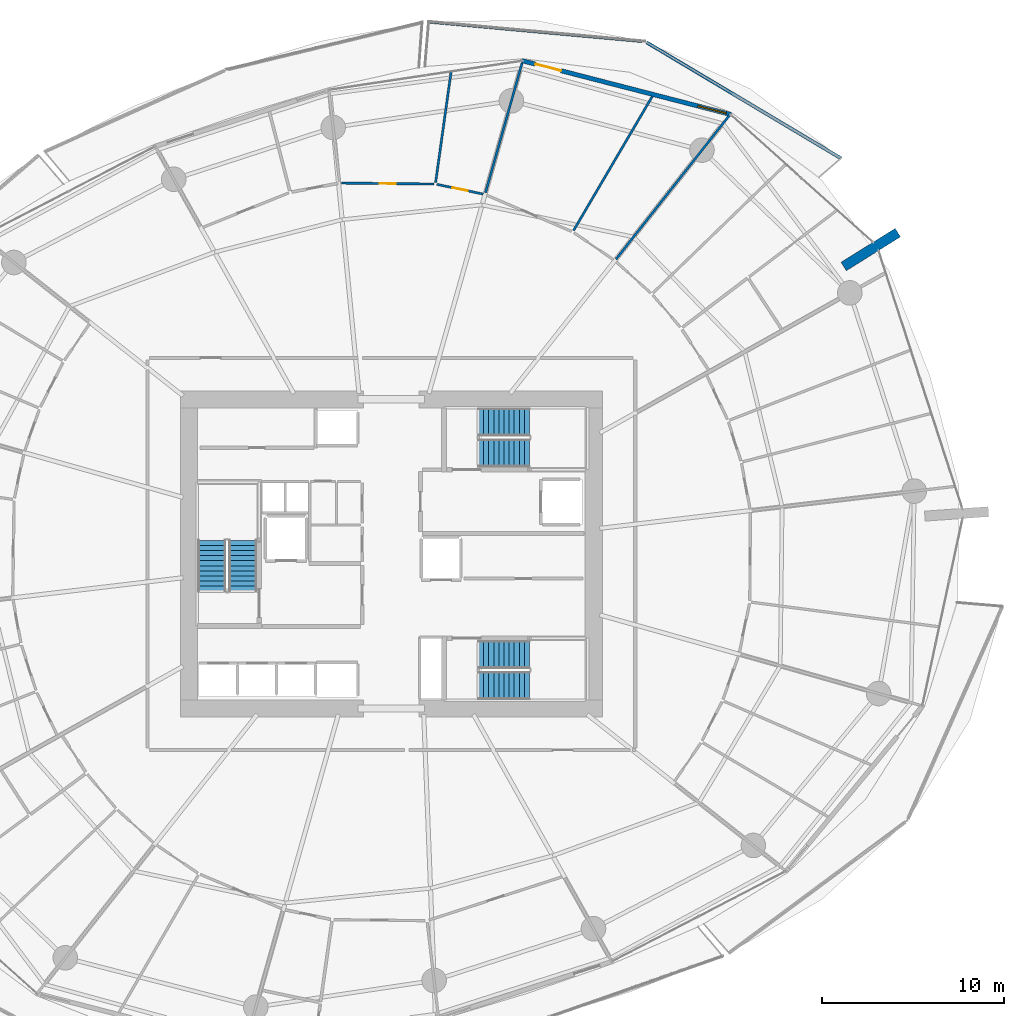
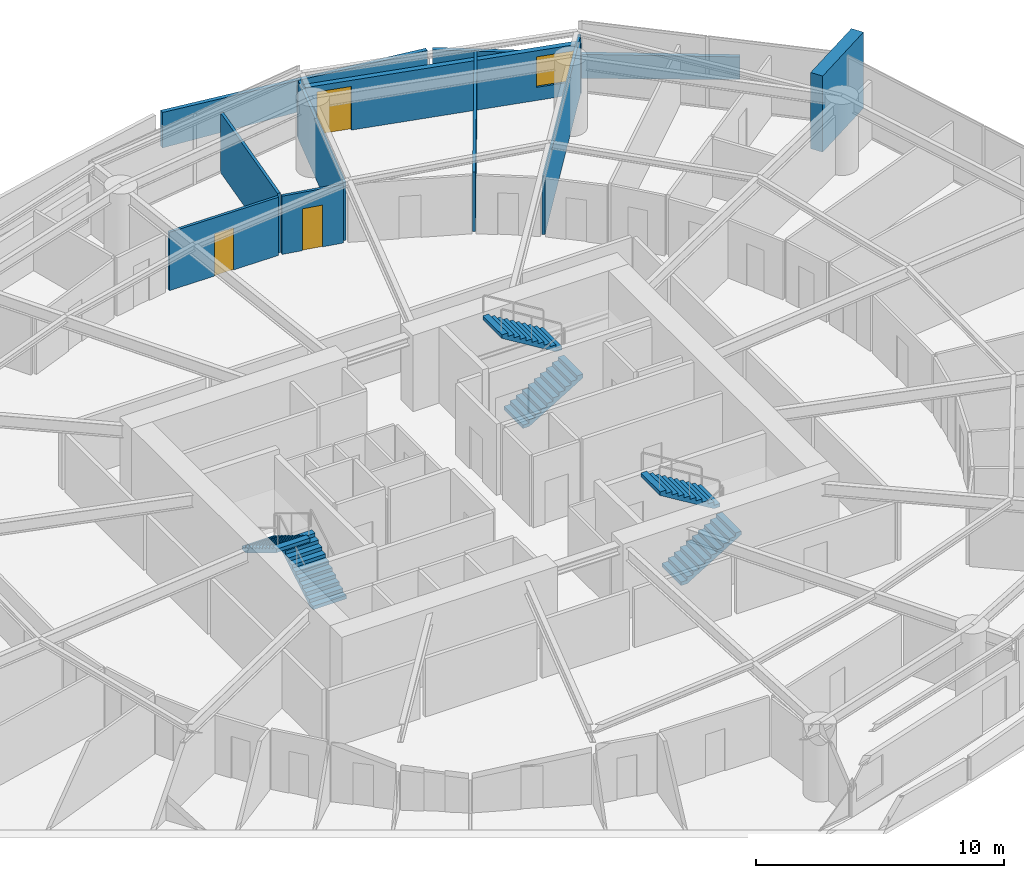
# One storey, part 24 of 31: 10 walls, 6 stair flights, 3 doors, 1 window, 4 openings, 3 elements without a shape of their own.
"""IFC4 building model written with IfcOpenShell, lengths in metres."""

from ifc_helpers import new_model, si_unit, direction, frame, frame_2d, origin, place, context, subcontext, project, spatial, polyline, rectangle, outline, extrude, material, layer, layer_set, type_object, element, fill, aggregate, save


model = new_model("IFC4")

# Units and contexts
model_context = context("Model", 3, precision=1e-05, world=origin(), true_north=direction((0.0, 1.0)))
body_context = subcontext(model_context, "Body", "Model", "MODEL_VIEW")
ifc_project = project(units=[si_unit("LENGTHUNIT", "METRE"), si_unit("AREAUNIT", "SQUARE_METRE"), si_unit("VOLUMEUNIT", "CUBIC_METRE"), si_unit("PLANEANGLEUNIT", "RADIAN"), si_unit("MASSUNIT", "GRAM", prefix="KILO")], contexts=[model_context])

# Site, building, storey
site_placement = place(None, origin())
site = spatial("IfcSite", under=ifc_project, at=site_placement, CompositionType="ELEMENT")
building_placement = place(site_placement, origin())
building = spatial("IfcBuilding", under=site, at=building_placement, Name="Kazma Halo Residences", CompositionType="ELEMENT")
storey_placement = place(building_placement, frame((0.0, 0.0, 30.14990234375)))
storey = spatial("IfcBuildingStorey", under=building, at=storey_placement, Name="L06", CompositionType="ELEMENT", Elevation=30.14990234375)

# Walls
ifc_material_1 = material(Name="White Concrete C50/60 Balustrade", Category="concrete")
ifc_layer_1 = layer(ifc_material_1, 0.179931640625)
ifc_layer_set_1 = layer_set([ifc_layer_1], Name="White Concrete C50/60 Balustrade")
wall_type_1 = type_object("IfcWallType", Name="WL-BAL-WAVE-180", PredefinedType="PARAPET", material=ifc_layer_set_1)
wall_1_placement = place(storey_placement, frame((73.08740234375, 63.693115234375, 0.0), z_axis=(0.0, 0.0, 1.0), x_axis=(-0.858860948387, 0.512208816144, 0.0)))
element("IfcWall", 1, at=wall_1_placement, inside=storey, type_object=wall_type_1, Name="L06 white wave balustrade wall NE.1", PredefinedType="PARAPET", context=body_context, shape_type="SweptSolid", body=[
    extrude(outline(polyline([(0.0, 0.0), (12.412353515625, 0.0), (12.412109375, 1.34814453125), (6.2060546875, 1.18212890625), (0.0, 1.1201171875), (0.0, 0.0)])), frame((0.0, 0.08984375, 0.0), z_axis=(0.0, -1.0, 0.0), x_axis=(1.0, 0.0, 0.0)), (0.0, 0.0, 1.0), 0.179931640625),
])
wall_2_placement = place(storey_placement, frame((62.204345703125, 70.123046875, 0.0), z_axis=(0.0, 0.0, 1.0), x_axis=(-0.99586852892, 0.09080678998, 0.0)))
element("IfcWall", 2, at=wall_2_placement, inside=storey, type_object=wall_type_1, Name="L06 white wave balustrade wall NE.2", PredefinedType="PARAPET", context=body_context, shape_type="SweptSolid", body=[
    extrude(outline(polyline([(0.0, 0.0), (11.77587890625, 0.0), (11.77587890625, 1.7470703125), (5.887939453125, 1.56201171875), (0.0, 1.34814453125), (0.0, 0.0)])), frame((0.0, 0.08984375, 0.0), z_axis=(0.0, -1.0, 0.0), x_axis=(1.0, 0.0, 0.0)), (0.0, 0.0, 1.0), 0.179931640625),
])
ifc_material_2 = material(Name="Pale Concrete C60/75", Category="concrete")
ifc_layer_2 = layer(ifc_material_2, 0.550048828125)
ifc_layer_set_2 = layer_set([ifc_layer_2], Name="Pale Concrete C60/75")
wall_type_2 = type_object("IfcWallType", Name="WL-BLADE-550", PredefinedType="SOLIDWALL", material=ifc_layer_set_2)
wall_3_placement = place(storey_placement, frame((73.229736328125, 57.765380859375, 0.0), z_axis=(0.0, 0.0, 1.0), x_axis=(0.848053161125, 0.529911158502, 0.0)))
element("IfcWall", 3, at=wall_3_placement, inside=storey, type_object=wall_type_2, Name="L06 pale concrete structural blade fin wall BW-01", PredefinedType="SOLIDWALL", context=body_context, shape_type="SweptSolid", body=[
    extrude(rectangle(XDim=3.5, YDim=0.550048828125, at=frame_2d((1.75, 0.0))), origin(), (0.0, 0.0, 1.0), 3.75),
])

# Wall, openings, door, window
ifc_material_3 = material(Name="Insulated Pale-Metal Composite Wall")
ifc_layer_3 = layer(ifc_material_3, 0.239990234375)
ifc_layer_set_3 = layer_set([ifc_layer_3], Name="Insulated Pale-Metal Composite Wall")
wall_type_3 = type_object("IfcWallType", Name="WL-EXT-HOST-240", PredefinedType="SOLIDWALL", material=ifc_layer_set_3)
wall_4_placement = place(storey_placement, frame((67.05419921875, 66.09619140625, 0.0), z_axis=(0.0, 0.0, 1.0), x_axis=(-0.96833871487, 0.249640007378, 0.0)))
wall_4 = element("IfcWall", 4, at=wall_4_placement, inside=storey, type_object=wall_type_3, Name="L06 exterior terrace-access wall B02", PredefinedType="SOLIDWALL", context=body_context, shape_type="SweptSolid", body=[
    extrude(rectangle(XDim=11.85107421875, YDim=0.239990234375, at=frame_2d((5.925537109375, 0.0))), origin(), (0.0, 0.0, 1.0), 2.4501953125),
])
opening_1_placement = place(wall_4_placement, frame((9.631103515625, 0.0, 0.0)))
opening_1 = element("IfcOpeningElement", 5, at=opening_1_placement, cuts=wall_4, Name="Opening DTR-1600", PredefinedType="OPENING", context=body_context, shape_type="SweptSolid", body=[
    extrude(rectangle(XDim=1.449951171875, YDim=2.14990234375, at=frame_2d((0.72509765625, 1.074951171875))), frame((0.0, 0.1298828125, 0.0), z_axis=(0.0, -1.0, 0.0), x_axis=(1.0, 0.0, 0.0)), (0.0, 0.0, 1.0), 0.260009765625),
])
opening_2_placement = place(wall_4_placement, frame((0.280029296875, 0.0, 0.64990234375)))
opening_2 = element("IfcOpeningElement", 6, at=opening_2_placement, cuts=wall_4, Name="Opening W-1800", PredefinedType="OPENING", context=body_context, shape_type="SweptSolid", body=[
    extrude(rectangle(XDim=1.60009765625, YDim=1.5, at=frame_2d((0.800048828125, 0.75))), frame((0.0, 0.1298828125, 0.0), z_axis=(0.0, -1.0, 0.0), x_axis=(1.0, 0.0, 0.0)), (0.0, 0.0, 1.0), 0.260009765625),
])
ifc_material_4 = material(Name="Aluminium AW-6063 T6 Double-Glazed Terrace Door", Category="aluminium")
door_type_1 = type_object("IfcDoorType", Name="DR-EXT-TERR-1600", OperationType="NOTDEFINED", PredefinedType="DOOR", material=ifc_material_4)
door_1_placement = place(opening_1_placement, origin())
door_1 = element("IfcDoor", 7, at=door_1_placement, inside=storey, type_object=door_type_1, Name="L06 B02 balcony terrace door", OperationType="DOUBLE_DOOR_SLIDING", OverallHeight=2.14990234375, OverallWidth=1.449951171875, PredefinedType="DOOR", context=body_context, shape_type="SweptSolid", body=[
    extrude(rectangle(XDim=1.449951171875, YDim=2.14990234375, at=frame_2d((0.72509765625, 1.074951171875))), frame((0.0, 0.02490234375, 0.0), z_axis=(0.0, -1.0, 0.0), x_axis=(1.0, 0.0, 0.0)), (0.0, 0.0, 1.0), 0.050048828125),
])
fill(opening_1, door_1)
ifc_material_5 = material(Name="Clear Triple-Silver Low-E Glass in Aluminium AW-6063 T6 Frame", Category="aluminium")
window_type = type_object("IfcWindowType", Name="WIN-RES-1800", PartitioningType="DOUBLE_PANEL_VERTICAL", PredefinedType="WINDOW", material=ifc_material_5)
window_placement = place(opening_2_placement, origin())
window = element("IfcWindow", 8, at=window_placement, inside=storey, type_object=window_type, Name="L06 B02 apartment window", OverallHeight=1.5, OverallWidth=1.60009765625, PartitioningType="SINGLE_PANEL", PredefinedType="WINDOW", context=body_context, shape_type="SweptSolid", body=[
    extrude(rectangle(XDim=1.60009765625, YDim=1.5, at=frame_2d((0.800048828125, 0.75))), frame((0.0, 0.030029296875, 0.0), z_axis=(0.0, -1.0, 0.0), x_axis=(1.0, 0.0, 0.0)), (0.0, 0.0, 1.0), 0.06005859375),
])
fill(opening_2, window)

# Walls
ifc_material_6 = material(Name="Gypsum Plasterboard Partition")
ifc_layer_4 = layer(ifc_material_6, 0.125)
ifc_layer_set_4 = layer_set([ifc_layer_4], Name="Gypsum Plasterboard Partition")
wall_type_4 = type_object("IfcWallType", Name="WL-PART-125", PredefinedType="PARTITIONING", material=ifc_layer_set_4)
wall_5_placement = place(storey_placement, frame((60.742919921875, 58.1640625, 0.0), z_axis=(0.0, 0.0, 1.0), x_axis=(0.61907620874, 0.785330916093, 0.0)))
element("IfcWall", 9, at=wall_5_placement, inside=storey, type_object=wall_type_4, Name="L06 Apartment 1 radial partition 1", PredefinedType="PARTITIONING", context=body_context, shape_type="SweptSolid", body=[
    extrude(rectangle(XDim=10.09130859375, YDim=0.125, at=frame_2d((5.045654296875, 0.0))), origin(), (0.0, 0.0, 1.0), 2.8671875),
])
wall_6_placement = place(storey_placement, frame((58.4169921875, 59.74072265625, 0.0), z_axis=(0.0, 0.0, 1.0), x_axis=(0.506296022947, 0.862359749263, 0.0)))
element("IfcWall", 10, at=wall_6_placement, inside=storey, type_object=wall_type_4, Name="L06 Apartment 1 mid-bay wall 1", PredefinedType="PARTITIONING", context=body_context, shape_type="SweptSolid", body=[
    extrude(rectangle(XDim=8.518798828125, YDim=0.125, at=frame_2d((4.25927734375, 0.0))), origin(), (0.0, 0.0, 1.0), 2.940185546875),
])
wall_7_placement = place(storey_placement, frame((53.5869140625, 61.810302734375, 0.0), z_axis=(0.0, 0.0, 1.0), x_axis=(0.271464088879, 0.962448569249, 0.0)))
element("IfcWall", 11, at=wall_7_placement, inside=storey, type_object=wall_type_4, Name="L06 Apartment 1 radial partition 2", PredefinedType="PARTITIONING", context=body_context, shape_type="SweptSolid", body=[
    extrude(rectangle(XDim=7.38916015625, YDim=0.125, at=frame_2d((3.694580078125, 0.0))), origin(), (0.0, 0.0, 1.0), 2.8671875),
])
wall_8_placement = place(storey_placement, frame((50.850830078125, 62.37451171875, 0.0), z_axis=(0.0, 0.0, 1.0), x_axis=(0.138574188501, 0.990352055726, 0.0)))
element("IfcWall", 12, at=wall_8_placement, inside=storey, type_object=wall_type_4, Name="L06 Apartment 1 mid-bay wall 2", PredefinedType="PARTITIONING", context=body_context, shape_type="SweptSolid", body=[
    extrude(rectangle(XDim=6.11181640625, YDim=0.125, at=frame_2d((3.055908203125, 0.0))), origin(), (0.0, 0.0, 1.0), 2.940185546875),
])

# Wall, opening, door
wall_9_placement = place(storey_placement, frame((53.4619140625, 61.734619140625, 0.0), z_axis=(0.0, 0.0, 1.0), x_axis=(-0.978662180334, 0.205475878837, 0.0)))
wall_9 = element("IfcWall", 13, at=wall_9_placement, inside=storey, type_object=wall_type_4, Name="L06 Apartment 1 North Dressing Wardrobe hall wall", PredefinedType="PARTITIONING", context=body_context, shape_type="SweptSolid", body=[
    extrude(rectangle(XDim=2.600830078125, YDim=0.125, at=frame_2d((1.30029296875, 0.0))), origin(), (0.0, 0.0, 1.0), 2.8671875),
])
opening_3_placement = place(wall_9_placement, frame((0.87548828125, 0.0, 0.0)))
opening_3 = element("IfcOpeningElement", 14, at=opening_3_placement, cuts=wall_9, Name="Opening DB-900", PredefinedType="OPENING", context=body_context, shape_type="SweptSolid", body=[
    extrude(rectangle(XDim=0.85009765625, YDim=2.06005859375, at=frame_2d((0.425048828125, 1.030029296875))), frame((0.0, 0.072509765625, 0.0), z_axis=(0.0, -1.0, 0.0), x_axis=(1.0, 0.0, 0.0)), (0.0, 0.0, 1.0), 0.14501953125),
])
ifc_material_7 = material(Name="Moisture-Sealed Timber Leaf", Category="wood")
door_type_2 = type_object("IfcDoorType", Name="DR-BTH-900", OperationType="NOTDEFINED", PredefinedType="DOOR", material=ifc_material_7)
door_2_placement = place(opening_3_placement, origin())
door_2 = element("IfcDoor", 15, at=door_2_placement, inside=storey, type_object=door_type_2, Name="L06 Apartment 1 North Dressing Wardrobe door", OperationType="SINGLE_SWING_LEFT", OverallHeight=2.06005859375, OverallWidth=0.85009765625, PredefinedType="DOOR", context=body_context, shape_type="SweptSolid", body=[
    extrude(rectangle(XDim=0.85009765625, YDim=2.06005859375, at=frame_2d((0.425048828125, 1.030029296875))), frame((0.0, 0.02490234375, 0.0), z_axis=(0.0, -1.0, 0.0), x_axis=(1.0, 0.0, 0.0)), (0.0, 0.0, 1.0), 0.050048828125),
])
fill(opening_3, door_2)

wall_10_placement = place(storey_placement, frame((50.75830078125, 62.2861328125, 0.0), z_axis=(0.0, 0.0, 1.0), x_axis=(-0.999943799193, 0.010601813775, 0.0)))
wall_10 = element("IfcWall", 16, at=wall_10_placement, inside=storey, type_object=wall_type_4, Name="L06 Apartment 1 South Master Bedroom hall wall", PredefinedType="PARTITIONING", context=body_context, shape_type="SweptSolid", body=[
    extrude(rectangle(XDim=5.066162109375, YDim=0.125, at=frame_2d((2.533203125, 0.0))), origin(), (0.0, 0.0, 1.0), 2.8671875),
])
opening_4_placement = place(wall_10_placement, frame((2.0830078125, 0.0, 0.0)))
opening_4 = element("IfcOpeningElement", 17, at=opening_4_placement, cuts=wall_10, Name="Opening DI-950", PredefinedType="OPENING", context=body_context, shape_type="SweptSolid", body=[
    extrude(rectangle(XDim=0.89990234375, YDim=2.080078125, at=frame_2d((0.449951171875, 1.0400390625))), frame((0.0, 0.072509765625, 0.0), z_axis=(0.0, -1.0, 0.0), x_axis=(1.0, 0.0, 0.0)), (0.0, 0.0, 1.0), 0.14501953125),
])
ifc_material_8 = material(Name="Timber Veneer Flush Leaf", Category="wood")
door_type_3 = type_object("IfcDoorType", Name="DR-INT-950", OperationType="NOTDEFINED", PredefinedType="DOOR", material=ifc_material_8)
door_3_placement = place(opening_4_placement, origin())
door_3 = element("IfcDoor", 18, at=door_3_placement, inside=storey, type_object=door_type_3, Name="L06 Apartment 1 South Master Bedroom door", OperationType="SINGLE_SWING_RIGHT", OverallHeight=2.080078125, OverallWidth=0.89990234375, PredefinedType="DOOR", context=body_context, shape_type="SweptSolid", body=[
    extrude(rectangle(XDim=0.89990234375, YDim=2.080078125, at=frame_2d((0.449951171875, 1.0400390625))), frame((0.0, 0.02490234375, 0.0), z_axis=(0.0, -1.0, 0.0), x_axis=(1.0, 0.0, 0.0)), (0.0, 0.0, 1.0), 0.050048828125),
])
fill(opening_4, door_3)

# Stair, stair flights
ifc_material_9 = material(Name="Concrete C50/60", Category="concrete")
stair_type = type_object("IfcStairType", Name="STR-RES1", PredefinedType="HALF_TURN_STAIR", material=ifc_material_9)
stair_1_placement = place(storey_placement, origin())
stair_1 = element("IfcStair", 19, at=stair_1_placement, inside=storey, type_object=stair_type, Name="L06 Core exit stair ST-01", PredefinedType="HALF_TURN_STAIR")
stair_flight_type = type_object("IfcStairFlightType", Name="STR-RES1-FLT", PredefinedType="STRAIGHT", material=ifc_material_9)
stair_flight_1_placement = place(storey_placement, frame((40.27490234375, 39.949951171875, 0.0), z_axis=(0.0, 0.0, 1.0), x_axis=(0.0, 1.0, 0.0)))
stair_flight_1 = element("IfcStairFlight", 20, at=stair_flight_1_placement, type_object=stair_flight_type, Name="ST-01 flight 1", NumberOfRisers=11, NumberOfTreads=10, PredefinedType="STRAIGHT", RiserHeight=0.170454545, TreadLength=0.28, context=body_context, shape_type="SweptSolid", body=[
    extrude(outline(polyline([(0.0, 0.0), (0.0, 0.17041015625), (0.280029296875, 0.17041015625), (0.280029296875, 0.3408203125), (0.56005859375, 0.3408203125), (0.56005859375, 0.511474609375), (0.840087890625, 0.511474609375), (0.840087890625, 0.681884765625), (1.1201171875, 0.681884765625), (1.1201171875, 0.852294921875), (1.39990234375, 0.852294921875), (1.39990234375, 1.022705078125), (1.679931640625, 1.022705078125), (1.679931640625, 1.193115234375), (1.9599609375, 1.193115234375), (1.9599609375, 1.363525390625), (2.239990234375, 1.363525390625), (2.239990234375, 1.5341796875), (2.52001953125, 1.5341796875), (2.52001953125, 1.70458984375), (2.800048828125, 1.70458984375), (2.800048828125, 1.875), (2.800048828125, 1.529052734375), (0.288330078125, 0.0), (0.0, 0.0)])), frame((0.0, 0.77490234375, 0.0), z_axis=(0.0, -1.0, 0.0), x_axis=(1.0, 0.0, 0.0)), (0.0, 0.0, 1.0), 1.550048828125),
])
stair_flight_2_placement = place(storey_placement, frame((38.574951171875, 42.75, 1.875), z_axis=(0.0, 0.0, 1.0), x_axis=(0.0, -1.0, 0.0)))
stair_flight_2 = element("IfcStairFlight", 21, at=stair_flight_2_placement, type_object=stair_flight_type, Name="ST-01 flight 2", NumberOfRisers=11, NumberOfTreads=10, PredefinedType="STRAIGHT", RiserHeight=0.170454545, TreadLength=0.28, context=body_context, shape_type="SweptSolid", body=[
    extrude(outline(polyline([(0.0, 0.0), (0.0, 0.17041015625), (0.280029296875, 0.17041015625), (0.280029296875, 0.3408203125), (0.56005859375, 0.3408203125), (0.56005859375, 0.511474609375), (0.840087890625, 0.511474609375), (0.840087890625, 0.681884765625), (1.1201171875, 0.681884765625), (1.1201171875, 0.852294921875), (1.39990234375, 0.852294921875), (1.39990234375, 1.022705078125), (1.679931640625, 1.022705078125), (1.679931640625, 1.193115234375), (1.9599609375, 1.193115234375), (1.9599609375, 1.363525390625), (2.239990234375, 1.363525390625), (2.239990234375, 1.5341796875), (2.52001953125, 1.5341796875), (2.52001953125, 1.70458984375), (2.800048828125, 1.70458984375), (2.800048828125, 1.875), (2.800048828125, 1.529052734375), (0.288330078125, 0.0), (0.0, 0.0)])), frame((0.0, 0.77490234375, 0.0), z_axis=(0.0, -1.0, 0.0), x_axis=(1.0, 0.0, 0.0)), (0.0, 0.0, 1.0), 1.550048828125),
])
aggregate(stair_1, [stair_flight_1, stair_flight_2])

stair_2_placement = place(storey_placement, origin())
stair_2 = element("IfcStair", 22, at=stair_2_placement, inside=storey, type_object=stair_type, Name="L06 Core exit stair ST-02", PredefinedType="HALF_TURN_STAIR")
stair_flight_3_placement = place(storey_placement, frame((53.199951171875, 47.52490234375, 0.0), z_axis=(0.0, 0.0, 1.0), x_axis=(1.0, 0.0, 0.0)))
stair_flight_3 = element("IfcStairFlight", 23, at=stair_flight_3_placement, type_object=stair_flight_type, Name="ST-02 flight 1", NumberOfRisers=11, NumberOfTreads=10, PredefinedType="STRAIGHT", RiserHeight=0.170454545, TreadLength=0.28, context=body_context, shape_type="SweptSolid", body=[
    extrude(outline(polyline([(0.0, 0.0), (0.0, 0.17041015625), (0.280029296875, 0.17041015625), (0.280029296875, 0.3408203125), (0.56005859375, 0.3408203125), (0.56005859375, 0.511474609375), (0.840087890625, 0.511474609375), (0.840087890625, 0.681884765625), (1.1201171875, 0.681884765625), (1.1201171875, 0.852294921875), (1.39990234375, 0.852294921875), (1.39990234375, 1.022705078125), (1.679931640625, 1.022705078125), (1.679931640625, 1.193115234375), (1.9599609375, 1.193115234375), (1.9599609375, 1.363525390625), (2.239990234375, 1.363525390625), (2.239990234375, 1.5341796875), (2.52001953125, 1.5341796875), (2.52001953125, 1.70458984375), (2.800048828125, 1.70458984375), (2.800048828125, 1.875), (2.800048828125, 1.529052734375), (0.288330078125, 0.0), (0.0, 0.0)])), frame((0.0, 0.77490234375, 0.0), z_axis=(0.0, -1.0, 0.0), x_axis=(1.0, 0.0, 0.0)), (0.0, 0.0, 1.0), 1.550048828125),
])
stair_flight_4_placement = place(storey_placement, frame((56.0, 49.22509765625, 1.875), z_axis=(0.0, 0.0, 1.0), x_axis=(-1.0, 0.0, 0.0)))
stair_flight_4 = element("IfcStairFlight", 24, at=stair_flight_4_placement, type_object=stair_flight_type, Name="ST-02 flight 2", NumberOfRisers=11, NumberOfTreads=10, PredefinedType="STRAIGHT", RiserHeight=0.170454545, TreadLength=0.28, context=body_context, shape_type="SweptSolid", body=[
    extrude(outline(polyline([(0.0, 0.0), (0.0, 0.17041015625), (0.280029296875, 0.17041015625), (0.280029296875, 0.3408203125), (0.56005859375, 0.3408203125), (0.56005859375, 0.511474609375), (0.840087890625, 0.511474609375), (0.840087890625, 0.681884765625), (1.1201171875, 0.681884765625), (1.1201171875, 0.852294921875), (1.39990234375, 0.852294921875), (1.39990234375, 1.022705078125), (1.679931640625, 1.022705078125), (1.679931640625, 1.193115234375), (1.9599609375, 1.193115234375), (1.9599609375, 1.363525390625), (2.239990234375, 1.363525390625), (2.239990234375, 1.5341796875), (2.52001953125, 1.5341796875), (2.52001953125, 1.70458984375), (2.800048828125, 1.70458984375), (2.800048828125, 1.875), (2.800048828125, 1.529052734375), (0.288330078125, 0.0), (0.0, 0.0)])), frame((0.0, 0.77490234375, 0.0), z_axis=(0.0, -1.0, 0.0), x_axis=(1.0, 0.0, 0.0)), (0.0, 0.0, 1.0), 1.550048828125),
])
aggregate(stair_2, [stair_flight_3, stair_flight_4])

stair_3_placement = place(storey_placement, origin())
stair_3 = element("IfcStair", 25, at=stair_3_placement, inside=storey, type_object=stair_type, Name="L06 Core exit stair ST-03", PredefinedType="HALF_TURN_STAIR")
stair_flight_5_placement = place(storey_placement, frame((53.199951171875, 34.77490234375, 0.0), z_axis=(0.0, 0.0, 1.0), x_axis=(1.0, 0.0, 0.0)))
stair_flight_5 = element("IfcStairFlight", 26, at=stair_flight_5_placement, type_object=stair_flight_type, Name="ST-03 flight 1", NumberOfRisers=11, NumberOfTreads=10, PredefinedType="STRAIGHT", RiserHeight=0.170454545, TreadLength=0.28, context=body_context, shape_type="SweptSolid", body=[
    extrude(outline(polyline([(0.0, 0.0), (0.0, 0.17041015625), (0.280029296875, 0.17041015625), (0.280029296875, 0.3408203125), (0.56005859375, 0.3408203125), (0.56005859375, 0.511474609375), (0.840087890625, 0.511474609375), (0.840087890625, 0.681884765625), (1.1201171875, 0.681884765625), (1.1201171875, 0.852294921875), (1.39990234375, 0.852294921875), (1.39990234375, 1.022705078125), (1.679931640625, 1.022705078125), (1.679931640625, 1.193115234375), (1.9599609375, 1.193115234375), (1.9599609375, 1.363525390625), (2.239990234375, 1.363525390625), (2.239990234375, 1.5341796875), (2.52001953125, 1.5341796875), (2.52001953125, 1.70458984375), (2.800048828125, 1.70458984375), (2.800048828125, 1.875), (2.800048828125, 1.529052734375), (0.288330078125, 0.0), (0.0, 0.0)])), frame((0.0, 0.77490234375, 0.0), z_axis=(0.0, -1.0, 0.0), x_axis=(1.0, 0.0, 0.0)), (0.0, 0.0, 1.0), 1.550048828125),
])
stair_flight_6_placement = place(storey_placement, frame((56.0, 36.47509765625, 1.875), z_axis=(0.0, 0.0, 1.0), x_axis=(-1.0, 0.0, 0.0)))
stair_flight_6 = element("IfcStairFlight", 27, at=stair_flight_6_placement, type_object=stair_flight_type, Name="ST-03 flight 2", NumberOfRisers=11, NumberOfTreads=10, PredefinedType="STRAIGHT", RiserHeight=0.170454545, TreadLength=0.28, context=body_context, shape_type="SweptSolid", body=[
    extrude(outline(polyline([(0.0, 0.0), (0.0, 0.17041015625), (0.280029296875, 0.17041015625), (0.280029296875, 0.3408203125), (0.56005859375, 0.3408203125), (0.56005859375, 0.511474609375), (0.840087890625, 0.511474609375), (0.840087890625, 0.681884765625), (1.1201171875, 0.681884765625), (1.1201171875, 0.852294921875), (1.39990234375, 0.852294921875), (1.39990234375, 1.022705078125), (1.679931640625, 1.022705078125), (1.679931640625, 1.193115234375), (1.9599609375, 1.193115234375), (1.9599609375, 1.363525390625), (2.239990234375, 1.363525390625), (2.239990234375, 1.5341796875), (2.52001953125, 1.5341796875), (2.52001953125, 1.70458984375), (2.800048828125, 1.70458984375), (2.800048828125, 1.875), (2.800048828125, 1.529052734375), (0.288330078125, 0.0), (0.0, 0.0)])), frame((0.0, 0.77490234375, 0.0), z_axis=(0.0, -1.0, 0.0), x_axis=(1.0, 0.0, 0.0)), (0.0, 0.0, 1.0), 1.550048828125),
])
aggregate(stair_3, [stair_flight_5, stair_flight_6])

save(model, "model.ifc")
